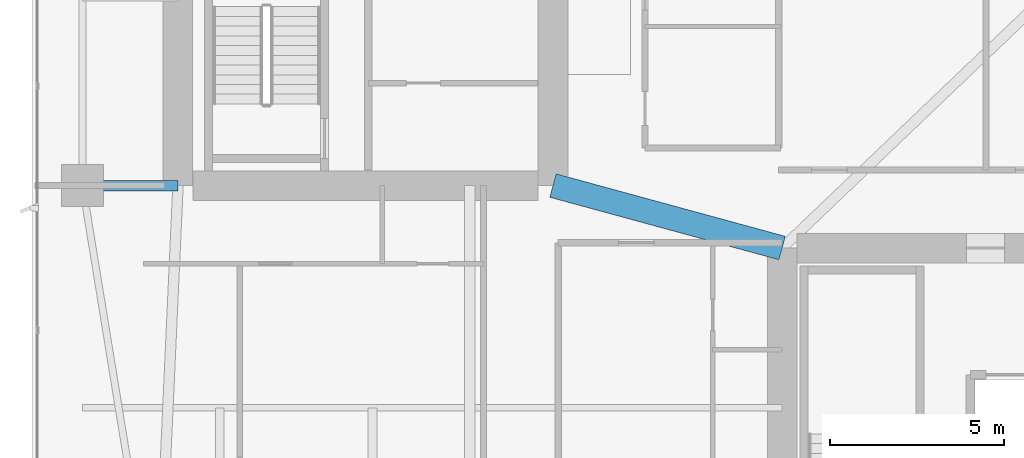
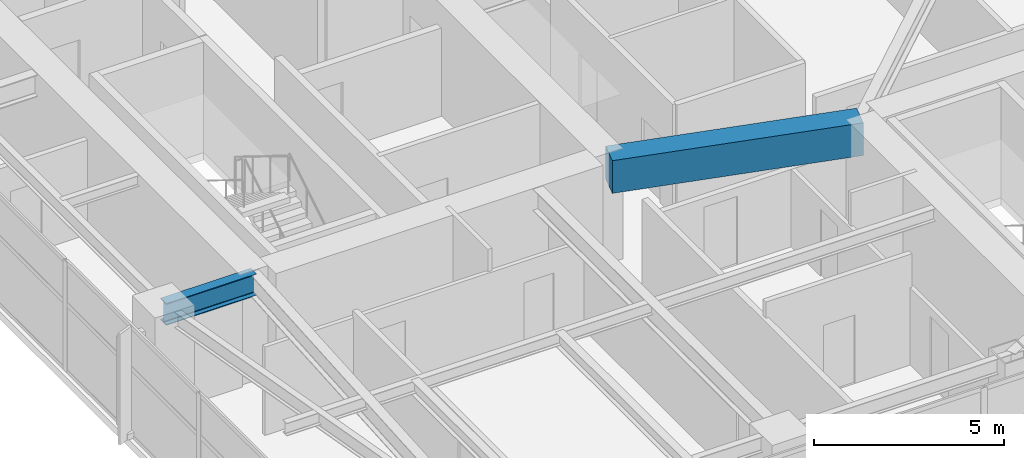
# One storey, part 7 of 28: 2 beams.
"""IFC4 building model written with IfcOpenShell, lengths in metres."""

import ifcopenshell
import ifcopenshell.guid

model = None  # the IFC model being written
_history = None  # IfcOwnerHistory: only IFC2X3 demands one
_inside = {}  # id of a spatial element -> (the spatial element, [elements in it])
_under = {}  # id of a project, library or spatial element -> (it, [spatial elements below it])
_declared = {}  # id of a project -> (the project, [libraries it declares])
_typed = {}  # id of a type object -> (the type object, [elements of that type])
_made_of = {}  # id of a material, layer set ... -> (it, [elements and type objects made of it])


def new_model(schema):
    """Start an empty IFC model of exactly this schema.

    Asked for "IFC4X3", IfcOpenShell would pick the latest addendum, in which some entities
    have other attributes; the version numbers below select the first issue.
    IFC2X3 requires an IfcOwnerHistory on every rooted entity: one is made here for all.
    """
    global model, _history
    if schema == "IFC4X3":
        model = ifcopenshell.file(schema_version=(4, 3, 0, 0))
    else:
        model = ifcopenshell.file(schema=schema)
    _inside.clear()
    _under.clear()
    _declared.clear()
    _typed.clear()
    _made_of.clear()
    _history = None
    if model.schema == "IFC2X3":
        org = make("IfcOrganization", Name="unknown")
        user = make(
            "IfcPersonAndOrganization",
            ThePerson=make("IfcPerson", FamilyName="unknown"),
            TheOrganization=org,
        )
        app = make(
            "IfcApplication",
            ApplicationDeveloper=org,
            Version="unknown",
            ApplicationFullName="unknown",
            ApplicationIdentifier="unknown",
        )
        _history = make(
            "IfcOwnerHistory",
            OwningUser=user,
            OwningApplication=app,
            ChangeAction="ADDED",
            CreationDate=0,
        )
    return model


def make(cls, **values):
    """One entity of the class cls with the attributes given. An attribute that is None is left unset."""
    return model.create_entity(
        cls, **{name: value for name, value in values.items() if value is not None}
    )


def rooted(cls, **values):
    """An entity with a GlobalId (a new one), such as an element, a storey or a relation."""
    return make(cls, GlobalId=ifcopenshell.guid.new(), OwnerHistory=_history, **values)


def si_unit(unit_type, name, prefix=None):
    """IfcSIUnit, for example si_unit("LENGTHUNIT", "METRE", prefix="MILLI")."""
    return make("IfcSIUnit", UnitType=unit_type, Prefix=prefix, Name=name)


def assignment(units):
    """IfcUnitAssignment: the units of a project."""
    return None if units is None else make("IfcUnitAssignment", Units=units)


def point(xyz):
    """IfcCartesianPoint."""
    return None if xyz is None else make("IfcCartesianPoint", Coordinates=xyz)


def direction(xyz):
    """IfcDirection."""
    return None if xyz is None else make("IfcDirection", DirectionRatios=xyz)


def frame(location, z_axis=None, x_axis=None):
    """IfcAxis2Placement3D, a coordinate frame: its origin and axes. An axis left out is left unset."""
    return make(
        "IfcAxis2Placement3D",
        Location=point(location),
        Axis=direction(z_axis),
        RefDirection=direction(x_axis),
    )


def frame_2d(location, x_axis=None):
    """IfcAxis2Placement2D, a coordinate frame in the plane: its origin and x axis."""
    return make(
        "IfcAxis2Placement2D", Location=point(location), RefDirection=direction(x_axis)
    )


def origin():
    """The frame at (0, 0, 0) with its axes left unset."""
    return frame((0.0, 0.0, 0.0))


def origin_2d():
    """The frame at (0, 0) in the plane with its x axis left unset."""
    return frame_2d((0.0, 0.0))


def place(relative_to, where):
    """IfcLocalPlacement: puts the frame where relative to a parent placement (None: the world)."""
    return make(
        "IfcLocalPlacement", PlacementRelTo=relative_to, RelativePlacement=where
    )


def context(
    kind, dimensions, precision=None, world=None, true_north=None, identifier=None
):
    """IfcGeometricRepresentationContext, for example the 3D "Model" context."""
    return make(
        "IfcGeometricRepresentationContext",
        ContextIdentifier=identifier,
        ContextType=kind,
        CoordinateSpaceDimension=dimensions,
        Precision=precision,
        WorldCoordinateSystem=world,
        TrueNorth=true_north,
    )


def subcontext(parent, identifier, kind, view, scale=None):
    """IfcGeometricRepresentationSubContext, for example "Body" below "Model"."""
    return make(
        "IfcGeometricRepresentationSubContext",
        ContextIdentifier=identifier,
        ContextType=kind,
        ParentContext=parent,
        TargetScale=scale,
        TargetView=view,
    )


def project(units=None, contexts=None):
    """IfcProject with its units and contexts."""
    return rooted(
        "IfcProject",
        Name="project",
        RepresentationContexts=contexts,
        UnitsInContext=assignment(units),
    )


def spatial(cls, under=None, at=None, **own):
    """A site, building, storey or space (cls), placed at a placement, below another one or the project."""
    s = rooted(cls, ObjectPlacement=at, **own)
    if under is not None:
        _under.setdefault(under.id(), (under, []))[1].append(s)
    return s


def profile(cls, at=None, kind="AREA", **sizes):
    """A parametric profile (cls). Its sizes go by their IFC names, for example OverallWidth=200.0."""
    return make(cls, ProfileType=kind, Position=at, **sizes)


def rectangle(**sizes):
    """IfcRectangleProfileDef."""
    return profile("IfcRectangleProfileDef", **sizes)


def i_section(**sizes):
    """IfcIShapeProfileDef."""
    return profile("IfcIShapeProfileDef", **sizes)


def extrude(swept, where, along, depth):
    """IfcExtrudedAreaSolid: the profile swept, set in the frame where, extruded along a direction by depth."""
    return make(
        "IfcExtrudedAreaSolid",
        SweptArea=swept,
        Position=where,
        ExtrudedDirection=direction(along),
        Depth=depth,
    )


def shape(context_of_items, identifier, shape_type, items):
    """IfcShapeRepresentation: the items that make up one representation, for example the "Body"."""
    return make(
        "IfcShapeRepresentation",
        ContextOfItems=context_of_items,
        RepresentationIdentifier=identifier,
        RepresentationType=shape_type,
        Items=items,
    )


def material(Name=None, Category=None):
    """IfcMaterial."""
    return make("IfcMaterial", Name=Name, Category=Category)


def material_profile(
    of_material, cross_section, Name=None, Category=None, Priority=None
):
    """IfcMaterialProfile: a cross section and its material."""
    return make(
        "IfcMaterialProfile",
        Name=Name,
        Material=of_material,
        Profile=cross_section,
        Priority=Priority,
        Category=Category,
    )


def profile_set(profiles, Name=None, composite=None):
    """IfcMaterialProfileSet."""
    return make(
        "IfcMaterialProfileSet",
        Name=Name,
        MaterialProfiles=profiles,
        CompositeProfile=composite,
    )


def made_of(thing, what):
    """Note that an element or type object is made of a material, layer set ...; save() writes the relation."""
    if what is not None:
        _made_of.setdefault(what.id(), (what, []))[1].append(thing)
    return thing


def type_object(cls, material=None, **own):
    """A type object (cls), such as IfcWallType, which elements share."""
    return made_of(rooted(cls, **own), material)


def element(
    cls,
    number,
    at=None,
    inside=None,
    cuts=None,
    type_object=None,
    material=None,
    context=None,
    identifier="Body",
    shape_type=None,
    held_by="IfcProductDefinitionShape",
    body=None,
    shapes=None,
    **own,
):
    """One element of the class cls, such as IfcWall. Its Tag is "e" and its number.

    at: its placement. inside: the storey or other place that contains it. cuts: it is an
    opening in that element (IfcRelVoidsElement). A single representation is given by context,
    identifier, shape_type and body (its items); several are given by shapes. held_by: the class
    of the entity that holds the representations. save() writes the other relations.
    """
    e = rooted(cls, Tag="e%d" % number, ObjectPlacement=at, **own)
    if body is not None:
        shapes = [shape(context, identifier, shape_type, body)]
    if shapes is not None:
        e.Representation = make(held_by, Representations=shapes)
    if inside is not None:
        _inside.setdefault(inside.id(), (inside, []))[1].append(e)
    if cuts is not None:
        rooted(
            "IfcRelVoidsElement", RelatingBuildingElement=cuts, RelatedOpeningElement=e
        )
    if type_object is not None:
        _typed.setdefault(type_object.id(), (type_object, []))[1].append(e)
    return made_of(e, material)


def aggregate(whole, parts):
    """IfcRelAggregates: a whole, such as a stair, and the parts it consists of."""
    return rooted("IfcRelAggregates", RelatingObject=whole, RelatedObjects=parts)


def save(model, path):
    """Write the relations noted so far, then the file.

    IfcRelAggregates (storeys below a building ...), IfcRelContainedInSpatialStructure (elements
    in a storey), IfcRelDefinesByType, IfcRelAssociatesMaterial and IfcRelDeclares: one each for
    every whole, place, type object, material and project.
    """
    for whole, parts in _under.values():
        aggregate(whole, parts)
    for where, things in _inside.values():
        rooted(
            "IfcRelContainedInSpatialStructure",
            RelatedElements=things,
            RelatingStructure=where,
        )
    for kind, things in _typed.values():
        rooted("IfcRelDefinesByType", RelatedObjects=things, RelatingType=kind)
    for what, things in _made_of.values():
        rooted("IfcRelAssociatesMaterial", RelatedObjects=things, RelatingMaterial=what)
    for by, libraries in _declared.values():
        rooted("IfcRelDeclares", RelatingContext=by, RelatedDefinitions=libraries)
    model.write(path)


model = new_model("IFC4")

# Units and contexts
model_context = context("Model", 3, precision=1e-05, world=origin(), true_north=direction((0.0, 1.0)))
body_context = subcontext(model_context, "Body", "Model", "MODEL_VIEW")
ifc_project = project(units=[si_unit("LENGTHUNIT", "METRE"), si_unit("AREAUNIT", "SQUARE_METRE"), si_unit("VOLUMEUNIT", "CUBIC_METRE"), si_unit("PLANEANGLEUNIT", "RADIAN"), si_unit("MASSUNIT", "GRAM", prefix="KILO")], contexts=[model_context])

# Site, building, storey
site_placement = place(None, origin())
site = spatial("IfcSite", under=ifc_project, at=site_placement, CompositionType="ELEMENT")
building_placement = place(site_placement, origin())
building = spatial("IfcBuilding", under=site, at=building_placement, Name="Calvorn Quay Hotel", CompositionType="ELEMENT")
storey_placement = place(building_placement, frame((0.0, 0.0, 116.39990234375)))
storey = spatial("IfcBuildingStorey", under=building, at=storey_placement, Name="L28", CompositionType="ELEMENT", Elevation=116.39990234375)

# Beams
ifc_material_1 = material(Name="Steel Q390GJC", Category="steel")
ifc_material_profile_1 = material_profile(ifc_material_1, i_section(OverallWidth=0.300048828125, OverallDepth=0.699951171875, WebThickness=0.012939453125, FlangeThickness=0.02392578125, FilletRadius=0.02392578125, at=origin_2d()), Name="HN700x300x13x24")
ifc_profile_set_1 = profile_set([ifc_material_profile_1], Name="Steel Q390GJC")
beam_type_1 = type_object("IfcBeamType", Name="BM-GIRD-MAIN", PredefinedType="BEAM", material=ifc_profile_set_1)
beam_1_placement = place(storey_placement, frame((1.449951171875, 16.800048828125, 3.190185546875), z_axis=(1.0, 0.0, 0.0), x_axis=(0.0, 1.0, 0.0)))
element("IfcBeam", 1, at=beam_1_placement, inside=storey, type_object=beam_type_1, Name="Beam BG-L28-W1", PredefinedType="BEAM", context=body_context, shape_type="SweptSolid", body=[
    extrude(i_section(OverallWidth=0.300048828125, OverallDepth=0.699951171875, WebThickness=0.012939453125, FlangeThickness=0.02392578125, FilletRadius=0.02392578125, at=origin_2d()), origin(), (0.0, 0.0, 1.0), 2.75),
])
ifc_material_2 = material(Name="Concrete C50", Category="concrete")
ifc_material_profile_2 = material_profile(ifc_material_2, rectangle(XDim=0.699951171875, YDim=1.050048828125, at=origin_2d()), Name="RCB700x1050")
ifc_profile_set_2 = profile_set([ifc_material_profile_2], Name="Concrete C50")
beam_type_2 = type_object("IfcBeamType", Name="BM-RC-LINK-700x1050", PredefinedType="BEAM", material=ifc_profile_set_2)
beam_2_placement = place(storey_placement, frame((15.0, 16.800048828125, 3.01513671875), z_axis=(0.964762997686, -0.263120425462, 0.0), x_axis=(0.263120425462, 0.964762997686, 0.0)))
element("IfcBeam", 2, at=beam_2_placement, inside=storey, type_object=beam_type_2, Name="Beam BCL-L28-01", PredefinedType="BEAM", context=body_context, shape_type="SweptSolid", body=[
    extrude(rectangle(XDim=0.699951171875, YDim=1.050048828125, at=origin_2d()), origin(), (0.0, 0.0, 1.0), 6.841064453125),
])

save(model, "model.ifc")
